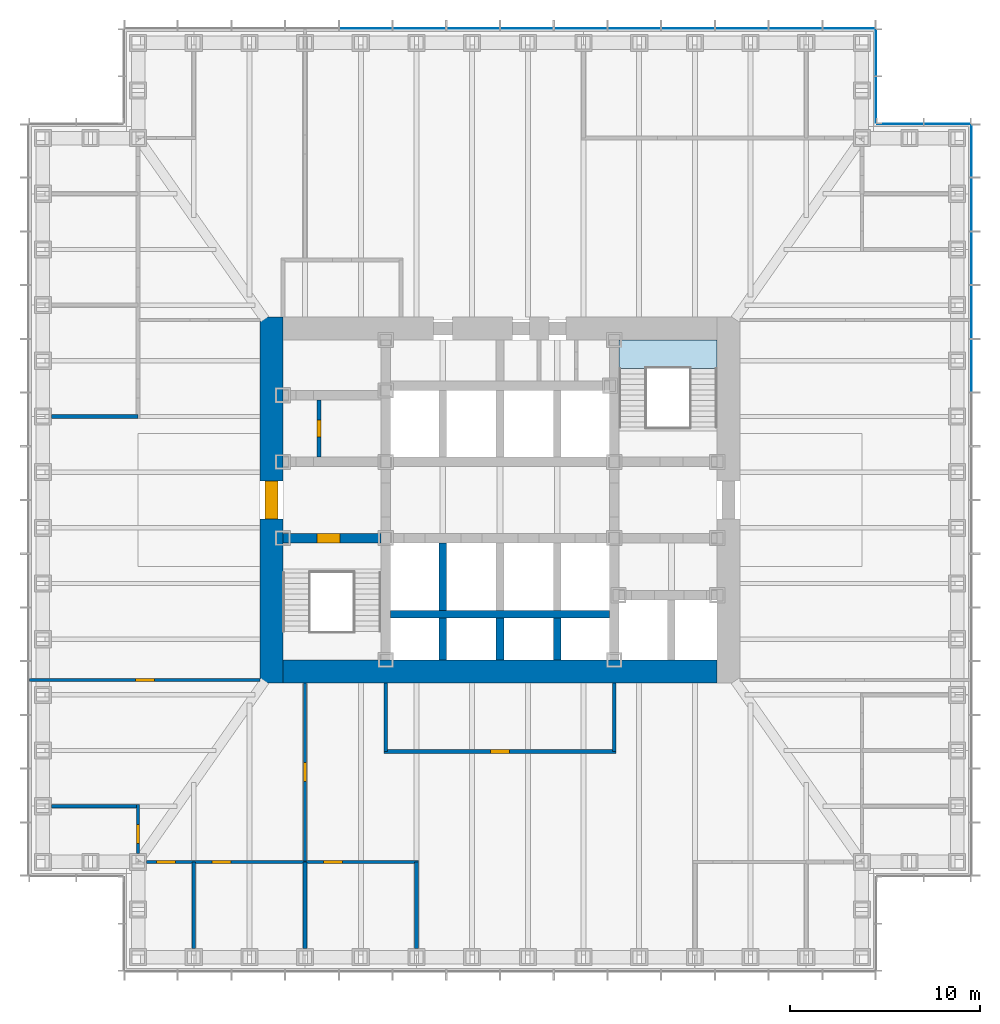
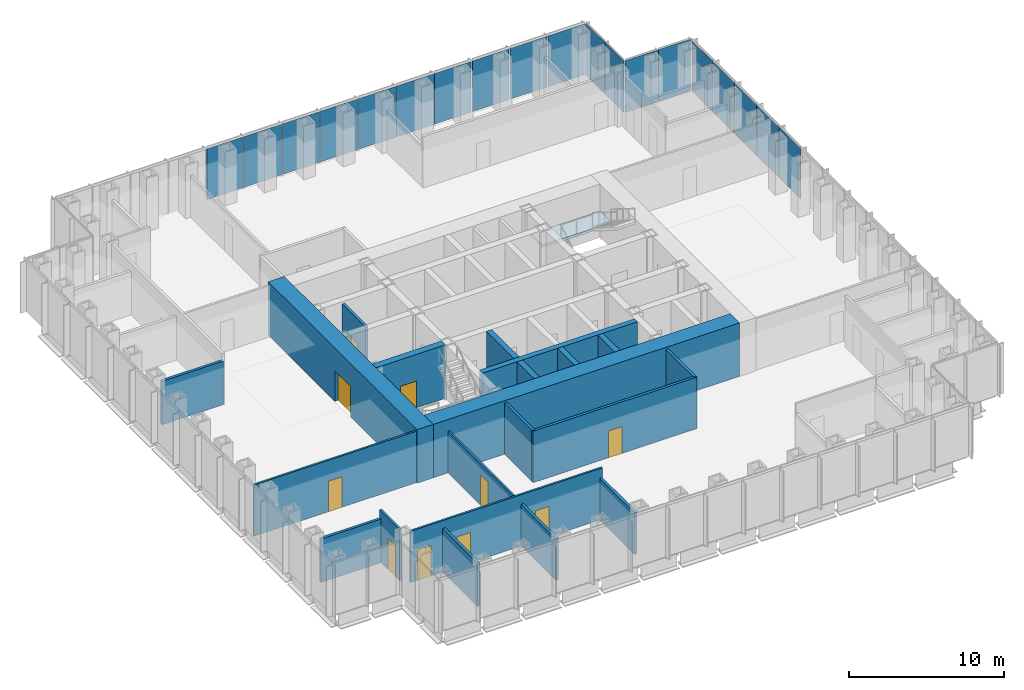
# One storey, part 8 of 17: 21 walls, 19 plates, 10 doors, 1 slab, 10 openings, 5 elements without a shape of their own.
"""IFC4 building model written with IfcOpenShell, lengths in metres."""

import ifcopenshell
import ifcopenshell.guid

model = None  # the IFC model being written
_history = None  # IfcOwnerHistory: only IFC2X3 demands one
_inside = {}  # id of a spatial element -> (the spatial element, [elements in it])
_under = {}  # id of a project, library or spatial element -> (it, [spatial elements below it])
_declared = {}  # id of a project -> (the project, [libraries it declares])
_typed = {}  # id of a type object -> (the type object, [elements of that type])
_made_of = {}  # id of a material, layer set ... -> (it, [elements and type objects made of it])


def new_model(schema):
    """Start an empty IFC model of exactly this schema.

    Asked for "IFC4X3", IfcOpenShell would pick the latest addendum, in which some entities
    have other attributes; the version numbers below select the first issue.
    IFC2X3 requires an IfcOwnerHistory on every rooted entity: one is made here for all.
    """
    global model, _history
    if schema == "IFC4X3":
        model = ifcopenshell.file(schema_version=(4, 3, 0, 0))
    else:
        model = ifcopenshell.file(schema=schema)
    _inside.clear()
    _under.clear()
    _declared.clear()
    _typed.clear()
    _made_of.clear()
    _history = None
    if model.schema == "IFC2X3":
        org = make("IfcOrganization", Name="unknown")
        user = make(
            "IfcPersonAndOrganization",
            ThePerson=make("IfcPerson", FamilyName="unknown"),
            TheOrganization=org,
        )
        app = make(
            "IfcApplication",
            ApplicationDeveloper=org,
            Version="unknown",
            ApplicationFullName="unknown",
            ApplicationIdentifier="unknown",
        )
        _history = make(
            "IfcOwnerHistory",
            OwningUser=user,
            OwningApplication=app,
            ChangeAction="ADDED",
            CreationDate=0,
        )
    return model


def make(cls, **values):
    """One entity of the class cls with the attributes given. An attribute that is None is left unset."""
    return model.create_entity(
        cls, **{name: value for name, value in values.items() if value is not None}
    )


def rooted(cls, **values):
    """An entity with a GlobalId (a new one), such as an element, a storey or a relation."""
    return make(cls, GlobalId=ifcopenshell.guid.new(), OwnerHistory=_history, **values)


def si_unit(unit_type, name, prefix=None):
    """IfcSIUnit, for example si_unit("LENGTHUNIT", "METRE", prefix="MILLI")."""
    return make("IfcSIUnit", UnitType=unit_type, Prefix=prefix, Name=name)


def assignment(units):
    """IfcUnitAssignment: the units of a project."""
    return None if units is None else make("IfcUnitAssignment", Units=units)


def point(xyz):
    """IfcCartesianPoint."""
    return None if xyz is None else make("IfcCartesianPoint", Coordinates=xyz)


def direction(xyz):
    """IfcDirection."""
    return None if xyz is None else make("IfcDirection", DirectionRatios=xyz)


def frame(location, z_axis=None, x_axis=None):
    """IfcAxis2Placement3D, a coordinate frame: its origin and axes. An axis left out is left unset."""
    return make(
        "IfcAxis2Placement3D",
        Location=point(location),
        Axis=direction(z_axis),
        RefDirection=direction(x_axis),
    )


def frame_2d(location, x_axis=None):
    """IfcAxis2Placement2D, a coordinate frame in the plane: its origin and x axis."""
    return make(
        "IfcAxis2Placement2D", Location=point(location), RefDirection=direction(x_axis)
    )


def origin():
    """The frame at (0, 0, 0) with its axes left unset."""
    return frame((0.0, 0.0, 0.0))


def origin_2d():
    """The frame at (0, 0) in the plane with its x axis left unset."""
    return frame_2d((0.0, 0.0))


def place(relative_to, where):
    """IfcLocalPlacement: puts the frame where relative to a parent placement (None: the world)."""
    return make(
        "IfcLocalPlacement", PlacementRelTo=relative_to, RelativePlacement=where
    )


def context(
    kind, dimensions, precision=None, world=None, true_north=None, identifier=None
):
    """IfcGeometricRepresentationContext, for example the 3D "Model" context."""
    return make(
        "IfcGeometricRepresentationContext",
        ContextIdentifier=identifier,
        ContextType=kind,
        CoordinateSpaceDimension=dimensions,
        Precision=precision,
        WorldCoordinateSystem=world,
        TrueNorth=true_north,
    )


def subcontext(parent, identifier, kind, view, scale=None):
    """IfcGeometricRepresentationSubContext, for example "Body" below "Model"."""
    return make(
        "IfcGeometricRepresentationSubContext",
        ContextIdentifier=identifier,
        ContextType=kind,
        ParentContext=parent,
        TargetScale=scale,
        TargetView=view,
    )


def project(units=None, contexts=None):
    """IfcProject with its units and contexts."""
    return rooted(
        "IfcProject",
        Name="project",
        RepresentationContexts=contexts,
        UnitsInContext=assignment(units),
    )


def spatial(cls, under=None, at=None, **own):
    """A site, building, storey or space (cls), placed at a placement, below another one or the project."""
    s = rooted(cls, ObjectPlacement=at, **own)
    if under is not None:
        _under.setdefault(under.id(), (under, []))[1].append(s)
    return s


def polyline(points):
    """IfcPolyline through the points."""
    return make("IfcPolyline", Points=[point(p) for p in points])


def profile(cls, at=None, kind="AREA", **sizes):
    """A parametric profile (cls). Its sizes go by their IFC names, for example OverallWidth=200.0."""
    return make(cls, ProfileType=kind, Position=at, **sizes)


def rectangle(**sizes):
    """IfcRectangleProfileDef."""
    return profile("IfcRectangleProfileDef", **sizes)


def outline(outer, holes=None, kind="AREA"):
    """IfcArbitraryClosedProfileDef: a profile drawn as a closed curve; with holes, ...WithVoids."""
    if holes is None:
        return make("IfcArbitraryClosedProfileDef", ProfileType=kind, OuterCurve=outer)
    return make(
        "IfcArbitraryProfileDefWithVoids",
        ProfileType=kind,
        OuterCurve=outer,
        InnerCurves=holes,
    )


def extrude(swept, where, along, depth):
    """IfcExtrudedAreaSolid: the profile swept, set in the frame where, extruded along a direction by depth."""
    return make(
        "IfcExtrudedAreaSolid",
        SweptArea=swept,
        Position=where,
        ExtrudedDirection=direction(along),
        Depth=depth,
    )


def shape(context_of_items, identifier, shape_type, items):
    """IfcShapeRepresentation: the items that make up one representation, for example the "Body"."""
    return make(
        "IfcShapeRepresentation",
        ContextOfItems=context_of_items,
        RepresentationIdentifier=identifier,
        RepresentationType=shape_type,
        Items=items,
    )


def material(Name=None, Category=None):
    """IfcMaterial."""
    return make("IfcMaterial", Name=Name, Category=Category)


def layer(
    of_material, thickness, ventilated=None, Name=None, Category=None, Priority=None
):
    """IfcMaterialLayer: one layer of a wall or slab, of a material (None: an air gap)."""
    return make(
        "IfcMaterialLayer",
        Material=of_material,
        LayerThickness=thickness,
        IsVentilated=ventilated,
        Name=Name,
        Category=Category,
        Priority=Priority,
    )


def layer_set(layers, Name=None):
    """IfcMaterialLayerSet."""
    return make("IfcMaterialLayerSet", MaterialLayers=layers, LayerSetName=Name)


def made_of(thing, what):
    """Note that an element or type object is made of a material, layer set ...; save() writes the relation."""
    if what is not None:
        _made_of.setdefault(what.id(), (what, []))[1].append(thing)
    return thing


def type_object(cls, material=None, **own):
    """A type object (cls), such as IfcWallType, which elements share."""
    return made_of(rooted(cls, **own), material)


def element(
    cls,
    number,
    at=None,
    inside=None,
    cuts=None,
    type_object=None,
    material=None,
    context=None,
    identifier="Body",
    shape_type=None,
    held_by="IfcProductDefinitionShape",
    body=None,
    shapes=None,
    **own,
):
    """One element of the class cls, such as IfcWall. Its Tag is "e" and its number.

    at: its placement. inside: the storey or other place that contains it. cuts: it is an
    opening in that element (IfcRelVoidsElement). A single representation is given by context,
    identifier, shape_type and body (its items); several are given by shapes. held_by: the class
    of the entity that holds the representations. save() writes the other relations.
    """
    e = rooted(cls, Tag="e%d" % number, ObjectPlacement=at, **own)
    if body is not None:
        shapes = [shape(context, identifier, shape_type, body)]
    if shapes is not None:
        e.Representation = make(held_by, Representations=shapes)
    if inside is not None:
        _inside.setdefault(inside.id(), (inside, []))[1].append(e)
    if cuts is not None:
        rooted(
            "IfcRelVoidsElement", RelatingBuildingElement=cuts, RelatedOpeningElement=e
        )
    if type_object is not None:
        _typed.setdefault(type_object.id(), (type_object, []))[1].append(e)
    return made_of(e, material)


def fill(opening, filler):
    """IfcRelFillsElement: the door or window that sits in an opening."""
    return rooted(
        "IfcRelFillsElement",
        RelatingOpeningElement=opening,
        RelatedBuildingElement=filler,
    )


def aggregate(whole, parts):
    """IfcRelAggregates: a whole, such as a stair, and the parts it consists of."""
    return rooted("IfcRelAggregates", RelatingObject=whole, RelatedObjects=parts)


def save(model, path):
    """Write the relations noted so far, then the file.

    IfcRelAggregates (storeys below a building ...), IfcRelContainedInSpatialStructure (elements
    in a storey), IfcRelDefinesByType, IfcRelAssociatesMaterial and IfcRelDeclares: one each for
    every whole, place, type object, material and project.
    """
    for whole, parts in _under.values():
        aggregate(whole, parts)
    for where, things in _inside.values():
        rooted(
            "IfcRelContainedInSpatialStructure",
            RelatedElements=things,
            RelatingStructure=where,
        )
    for kind, things in _typed.values():
        rooted("IfcRelDefinesByType", RelatedObjects=things, RelatingType=kind)
    for what, things in _made_of.values():
        rooted("IfcRelAssociatesMaterial", RelatedObjects=things, RelatingMaterial=what)
    for by, libraries in _declared.values():
        rooted("IfcRelDeclares", RelatingContext=by, RelatedDefinitions=libraries)
    model.write(path)


model = new_model("IFC4")

# Units and contexts
model_context = context("Model", 3, precision=1e-05, world=origin(), true_north=direction((0.0, 1.0)))
body_context = subcontext(model_context, "Body", "Model", "MODEL_VIEW")
ifc_project = project(units=[si_unit("LENGTHUNIT", "METRE"), si_unit("AREAUNIT", "SQUARE_METRE"), si_unit("VOLUMEUNIT", "CUBIC_METRE"), si_unit("PLANEANGLEUNIT", "RADIAN"), si_unit("MASSUNIT", "GRAM", prefix="KILO")], contexts=[model_context])

# Site, building, storey
site_placement = place(None, origin())
site = spatial("IfcSite", under=ifc_project, at=site_placement, CompositionType="ELEMENT")
building_placement = place(site_placement, origin())
building = spatial("IfcBuilding", under=site, at=building_placement, Name="Daluyong Arena Tower", CompositionType="ELEMENT")
storey_placement = place(building_placement, frame((0.0, 0.0, 85.300048828125)))
storey = spatial("IfcBuildingStorey", under=building, at=storey_placement, Name="L18", CompositionType="ELEMENT", Elevation=85.300048828125)

# Curtain wall, plates
ifc_material_1 = material(Name="Bronze anodised aluminium and glass", Category="aluminium")
curtain_wall_type_1 = type_object("IfcCurtainWallType", Name="Curtain wall CW1", PredefinedType="USERDEFINED", material=ifc_material_1)
curtain_wall_1_placement = place(storey_placement, origin())
curtain_wall_1 = element("IfcCurtainWall", 1, at=curtain_wall_1_placement, inside=storey, type_object=curtain_wall_type_1, Name="curtain wall L18 E", ObjectType="UNITISED CURTAIN WALL", PredefinedType="USERDEFINED")
ifc_material_2 = material(Name="Tinted double glazed unit", Category="glass")
ifc_layer_1 = layer(ifc_material_2, 0.031982421875)
ifc_layer_set_1 = layer_set([ifc_layer_1], Name="Tinted double glazed unit")
plate_type_1 = type_object("IfcPlateType", Name="CW1 panel 32", PredefinedType="CURTAIN_PANEL", material=ifc_layer_set_1)
plate_1_placement = place(storey_placement, frame((80.75, 87.053466796875, 0.0), z_axis=(0.0, 0.0, 1.0), x_axis=(0.0, 1.0, 0.0)))
plate_1 = element("IfcPlate", 2, at=plate_1_placement, type_object=plate_type_1, Name="curtain wall L18 E panel 10", PredefinedType="CURTAIN_PANEL", context=body_context, shape_type="SweptSolid", body=[
    extrude(rectangle(XDim=2.741455078125, YDim=0.031982421875, at=origin_2d()), origin(), (0.0, 0.0, 1.0), 4.0),
])
plate_2_placement = place(storey_placement, frame((80.75, 89.875, 0.0), z_axis=(0.0, 0.0, 1.0), x_axis=(0.0, 1.0, 0.0)))
plate_2 = element("IfcPlate", 3, at=plate_2_placement, type_object=plate_type_1, Name="curtain wall L18 E panel 11", PredefinedType="CURTAIN_PANEL", context=body_context, shape_type="SweptSolid", body=[
    extrude(rectangle(XDim=2.741455078125, YDim=0.031982421875, at=origin_2d()), origin(), (0.0, 0.0, 1.0), 4.0),
])
plate_3_placement = place(storey_placement, frame((80.75, 92.696533203125, 0.0), z_axis=(0.0, 0.0, 1.0), x_axis=(0.0, 1.0, 0.0)))
plate_3 = element("IfcPlate", 4, at=plate_3_placement, type_object=plate_type_1, Name="curtain wall L18 E panel 12", PredefinedType="CURTAIN_PANEL", context=body_context, shape_type="SweptSolid", body=[
    extrude(rectangle(XDim=2.741455078125, YDim=0.031982421875, at=origin_2d()), origin(), (0.0, 0.0, 1.0), 4.0),
])
plate_4_placement = place(storey_placement, frame((80.75, 95.517822265625, 0.0), z_axis=(0.0, 0.0, 1.0), x_axis=(0.0, 1.0, 0.0)))
plate_4 = element("IfcPlate", 5, at=plate_4_placement, type_object=plate_type_1, Name="curtain wall L18 E panel 13", PredefinedType="CURTAIN_PANEL", context=body_context, shape_type="SweptSolid", body=[
    extrude(rectangle(XDim=2.741455078125, YDim=0.031982421875, at=origin_2d()), origin(), (0.0, 0.0, 1.0), 4.0),
])
plate_5_placement = place(storey_placement, frame((80.75, 98.3193359375, 0.0), z_axis=(0.0, 0.0, 1.0), x_axis=(0.0, 1.0, 0.0)))
plate_5 = element("IfcPlate", 6, at=plate_5_placement, type_object=plate_type_1, Name="curtain wall L18 E panel 14", PredefinedType="CURTAIN_PANEL", context=body_context, shape_type="SweptSolid", body=[
    extrude(rectangle(XDim=2.701416015625, YDim=0.031982421875, at=origin_2d()), origin(), (0.0, 0.0, 1.0), 4.0),
])
aggregate(curtain_wall_1, [plate_1, plate_2, plate_3, plate_4, plate_5])

curtain_wall_2_placement = place(storey_placement, origin())
curtain_wall_2 = element("IfcCurtainWall", 7, at=curtain_wall_2_placement, inside=storey, type_object=curtain_wall_type_1, Name="curtain wall L18 N", ObjectType="UNITISED CURTAIN WALL", PredefinedType="USERDEFINED")
plate_6_placement = place(storey_placement, frame((74.3193359375, 104.75, 0.0), z_axis=(0.0, 0.0, 1.0), x_axis=(-1.0, 0.0, 0.0)))
plate_6 = element("IfcPlate", 8, at=plate_6_placement, type_object=plate_type_1, Name="curtain wall L18 N panel 1", PredefinedType="CURTAIN_PANEL", context=body_context, shape_type="SweptSolid", body=[
    extrude(rectangle(XDim=2.701416015625, YDim=0.031982421875, at=origin_2d()), origin(), (0.0, 0.0, 1.0), 4.0),
])
plate_7_placement = place(storey_placement, frame((71.517822265625, 104.75, 0.0), z_axis=(0.0, 0.0, 1.0), x_axis=(-1.0, 0.0, 0.0)))
plate_7 = element("IfcPlate", 9, at=plate_7_placement, type_object=plate_type_1, Name="curtain wall L18 N panel 2", PredefinedType="CURTAIN_PANEL", context=body_context, shape_type="SweptSolid", body=[
    extrude(rectangle(XDim=2.741455078125, YDim=0.031982421875, at=origin_2d()), origin(), (0.0, 0.0, 1.0), 4.0),
])
plate_8_placement = place(storey_placement, frame((68.696533203125, 104.75, 0.0), z_axis=(0.0, 0.0, 1.0), x_axis=(-1.0, 0.0, 0.0)))
plate_8 = element("IfcPlate", 10, at=plate_8_placement, type_object=plate_type_1, Name="curtain wall L18 N panel 3", PredefinedType="CURTAIN_PANEL", context=body_context, shape_type="SweptSolid", body=[
    extrude(rectangle(XDim=2.741455078125, YDim=0.031982421875, at=origin_2d()), origin(), (0.0, 0.0, 1.0), 4.0),
])
plate_9_placement = place(storey_placement, frame((65.875, 104.75, 0.0), z_axis=(0.0, 0.0, 1.0), x_axis=(-1.0, 0.0, 0.0)))
plate_9 = element("IfcPlate", 11, at=plate_9_placement, type_object=plate_type_1, Name="curtain wall L18 N panel 4", PredefinedType="CURTAIN_PANEL", context=body_context, shape_type="SweptSolid", body=[
    extrude(rectangle(XDim=2.741455078125, YDim=0.031982421875, at=origin_2d()), origin(), (0.0, 0.0, 1.0), 4.0),
])
plate_10_placement = place(storey_placement, frame((63.053466796875, 104.75, 0.0), z_axis=(0.0, 0.0, 1.0), x_axis=(-1.0, 0.0, 0.0)))
plate_10 = element("IfcPlate", 12, at=plate_10_placement, type_object=plate_type_1, Name="curtain wall L18 N panel 5", PredefinedType="CURTAIN_PANEL", context=body_context, shape_type="SweptSolid", body=[
    extrude(rectangle(XDim=2.741455078125, YDim=0.031982421875, at=origin_2d()), origin(), (0.0, 0.0, 1.0), 4.0),
])
plate_11_placement = place(storey_placement, frame((60.232177734375, 104.75, 0.0), z_axis=(0.0, 0.0, 1.0), x_axis=(-1.0, 0.0, 0.0)))
plate_11 = element("IfcPlate", 13, at=plate_11_placement, type_object=plate_type_1, Name="curtain wall L18 N panel 6", PredefinedType="CURTAIN_PANEL", context=body_context, shape_type="SweptSolid", body=[
    extrude(rectangle(XDim=2.741455078125, YDim=0.031982421875, at=origin_2d()), origin(), (0.0, 0.0, 1.0), 4.0),
])
plate_12_placement = place(storey_placement, frame((57.41064453125, 104.75, 0.0), z_axis=(0.0, 0.0, 1.0), x_axis=(-1.0, 0.0, 0.0)))
plate_12 = element("IfcPlate", 14, at=plate_12_placement, type_object=plate_type_1, Name="curtain wall L18 N panel 7", PredefinedType="CURTAIN_PANEL", context=body_context, shape_type="SweptSolid", body=[
    extrude(rectangle(XDim=2.741455078125, YDim=0.031982421875, at=origin_2d()), origin(), (0.0, 0.0, 1.0), 4.0),
])
plate_13_placement = place(storey_placement, frame((54.58935546875, 104.75, 0.0), z_axis=(0.0, 0.0, 1.0), x_axis=(-1.0, 0.0, 0.0)))
plate_13 = element("IfcPlate", 15, at=plate_13_placement, type_object=plate_type_1, Name="curtain wall L18 N panel 8", PredefinedType="CURTAIN_PANEL", context=body_context, shape_type="SweptSolid", body=[
    extrude(rectangle(XDim=2.741455078125, YDim=0.031982421875, at=origin_2d()), origin(), (0.0, 0.0, 1.0), 4.0),
])
plate_14_placement = place(storey_placement, frame((51.767822265625, 104.75, 0.0), z_axis=(0.0, 0.0, 1.0), x_axis=(-1.0, 0.0, 0.0)))
plate_14 = element("IfcPlate", 16, at=plate_14_placement, type_object=plate_type_1, Name="curtain wall L18 N panel 9", PredefinedType="CURTAIN_PANEL", context=body_context, shape_type="SweptSolid", body=[
    extrude(rectangle(XDim=2.741455078125, YDim=0.031982421875, at=origin_2d()), origin(), (0.0, 0.0, 1.0), 4.0),
])
plate_15_placement = place(storey_placement, frame((48.946533203125, 104.75, 0.0), z_axis=(0.0, 0.0, 1.0), x_axis=(-1.0, 0.0, 0.0)))
plate_15 = element("IfcPlate", 17, at=plate_15_placement, type_object=plate_type_1, Name="curtain wall L18 N panel 10", PredefinedType="CURTAIN_PANEL", context=body_context, shape_type="SweptSolid", body=[
    extrude(rectangle(XDim=2.741455078125, YDim=0.031982421875, at=origin_2d()), origin(), (0.0, 0.0, 1.0), 4.0),
])
aggregate(curtain_wall_2, [plate_6, plate_7, plate_8, plate_9, plate_10, plate_11, plate_12, plate_13, plate_14, plate_15])

ifc_material_3 = material(Name="Bronze anodised aluminium and glass", Category="aluminium")
curtain_wall_type_2 = type_object("IfcCurtainWallType", Name="Curtain wall CW7", PredefinedType="USERDEFINED", material=ifc_material_3)
curtain_wall_3_placement = place(storey_placement, origin())
curtain_wall_3 = element("IfcCurtainWall", 18, at=curtain_wall_3_placement, inside=storey, type_object=curtain_wall_type_2, Name="curtain wall L18 NE-N", ObjectType="UNITISED CURTAIN WALL", PredefinedType="USERDEFINED")
ifc_material_4 = material(Name="Tinted double glazed unit", Category="glass")
ifc_layer_2 = layer(ifc_material_4, 0.028076171875)
ifc_layer_set_2 = layer_set([ifc_layer_2], Name="Tinted double glazed unit")
plate_type_2 = type_object("IfcPlateType", Name="CW7 panel 28", PredefinedType="CURTAIN_PANEL", material=ifc_layer_set_2)
plate_16_placement = place(storey_placement, frame((79.485107421875, 99.75, 0.0), z_axis=(0.0, 0.0, 1.0), x_axis=(-1.0, 0.0, 0.0)))
plate_16 = element("IfcPlate", 19, at=plate_16_placement, type_object=plate_type_2, Name="curtain wall L18 NE-N panel 1", PredefinedType="CURTAIN_PANEL", context=body_context, shape_type="SweptSolid", body=[
    extrude(rectangle(XDim=2.409912109375, YDim=0.028076171875, at=origin_2d()), origin(), (0.0, 0.0, 1.0), 4.080078125),
])
plate_17_placement = place(storey_placement, frame((77.014892578125, 99.75, 0.0), z_axis=(0.0, 0.0, 1.0), x_axis=(-1.0, 0.0, 0.0)))
plate_17 = element("IfcPlate", 20, at=plate_17_placement, type_object=plate_type_2, Name="curtain wall L18 NE-N panel 2", PredefinedType="CURTAIN_PANEL", context=body_context, shape_type="SweptSolid", body=[
    extrude(rectangle(XDim=2.409912109375, YDim=0.028076171875, at=origin_2d()), origin(), (0.0, 0.0, 1.0), 4.080078125),
])
aggregate(curtain_wall_3, [plate_16, plate_17])

curtain_wall_4_placement = place(storey_placement, origin())
curtain_wall_4 = element("IfcCurtainWall", 21, at=curtain_wall_4_placement, inside=storey, type_object=curtain_wall_type_2, Name="curtain wall L18 NE-E", ObjectType="UNITISED CURTAIN WALL", PredefinedType="USERDEFINED")
plate_18_placement = place(storey_placement, frame((75.75, 101.014892578125, 0.0), z_axis=(0.0, 0.0, 1.0), x_axis=(0.0, 1.0, 0.0)))
plate_18 = element("IfcPlate", 22, at=plate_18_placement, type_object=plate_type_2, Name="curtain wall L18 NE-E panel 1", PredefinedType="CURTAIN_PANEL", context=body_context, shape_type="SweptSolid", body=[
    extrude(rectangle(XDim=2.409912109375, YDim=0.028076171875, at=origin_2d()), origin(), (0.0, 0.0, 1.0), 4.080078125),
])
plate_19_placement = place(storey_placement, frame((75.75, 103.485107421875, 0.0), z_axis=(0.0, 0.0, 1.0), x_axis=(0.0, 1.0, 0.0)))
plate_19 = element("IfcPlate", 23, at=plate_19_placement, type_object=plate_type_2, Name="curtain wall L18 NE-E panel 2", PredefinedType="CURTAIN_PANEL", context=body_context, shape_type="SweptSolid", body=[
    extrude(rectangle(XDim=2.409912109375, YDim=0.028076171875, at=origin_2d()), origin(), (0.0, 0.0, 1.0), 4.080078125),
])
aggregate(curtain_wall_4, [plate_18, plate_19])

# Stair, slab
ifc_material_5 = material(Name="Concrete fc' 35 MPa", Category="concrete")
stair_type = type_object("IfcStairType", Name="Core exit stair", PredefinedType="HALF_TURN_STAIR", material=ifc_material_5)
stair_placement = place(storey_placement, origin())
stair = element("IfcStair", 24, at=stair_placement, inside=storey, type_object=stair_type, Name="exit stair B L18", PredefinedType="HALF_TURN_STAIR")
ifc_material_6 = material(Name="Concrete fc' 35 MPa", Category="concrete")
ifc_layer_3 = layer(ifc_material_6, 0.199951171875)
ifc_layer_set_3 = layer_set([ifc_layer_3], Name="Concrete fc' 35 MPa")
slab_type = type_object("IfcSlabType", Name="Stair landing 200", PredefinedType="LANDING", material=ifc_layer_set_3)
slab_placement = place(storey_placement, frame((0.0, 0.0, 1.89990234375)))
slab = element("IfcSlab", 25, at=slab_placement, type_object=slab_type, Name="STB landing 1", PredefinedType="LANDING", context=body_context, shape_type="SweptSolid", body=[
    extrude(outline(polyline([(62.25, 86.905029296875), (67.39990234375, 86.905029296875), (67.39990234375, 88.39990234375), (62.25, 88.39990234375), (62.25, 86.905029296875)])), origin(), (0.0, 0.0, 1.0), 0.199951171875),
])
aggregate(stair, [slab])

# Wall, opening, door
ifc_material_7 = material(Name="Concrete fc' 45 MPa", Category="concrete")
ifc_layer_4 = layer(ifc_material_7, 0.5)
ifc_layer_set_4 = layer_set([ifc_layer_4], Name="Concrete fc' 45 MPa")
wall_type_1 = type_object("IfcWallType", Name="Core inner wall 500", PredefinedType="SHEAR", material=ifc_layer_set_4)
wall_1_placement = place(storey_placement, frame((44.60009765625, 78.0, 0.0), z_axis=(0.0, 0.0, 1.0), x_axis=(1.0, 0.0, 0.0)))
wall_1 = element("IfcWall", 26, at=wall_1_placement, inside=storey, type_object=wall_type_1, Name="core inner wall at L18", PredefinedType="SHEAR", context=body_context, shape_type="SweptSolid", body=[
    extrude(rectangle(XDim=5.14990234375, YDim=0.5, at=frame_2d((2.574951171875, 0.0))), origin(), (0.0, 0.0, 1.0), 4.199951171875),
])
opening_1_placement = place(wall_1_placement, frame((1.800048828125, 0.0, 0.0)))
opening_1 = element("IfcOpeningElement", 27, at=opening_1_placement, cuts=wall_1, Name="Opening 18008", PredefinedType="OPENING", context=body_context, shape_type="SweptSolid", body=[
    extrude(rectangle(XDim=1.199951171875, YDim=2.10009765625, at=frame_2d((0.60009765625, 1.050048828125))), frame((0.0, 0.260009765625, 0.0), z_axis=(0.0, -1.0, 0.0), x_axis=(1.0, 0.0, 0.0)), (0.0, 0.0, 1.0), 0.52001953125),
])
ifc_material_8 = material(Name="Steel door, fire rated", Category="steel")
door_type_1 = type_object("IfcDoorType", Name="Stair door 1200", OperationType="SINGLE_SWING_LEFT", PredefinedType="DOOR", material=ifc_material_8)
door_1_placement = place(opening_1_placement, origin())
door_1 = element("IfcDoor", 28, at=door_1_placement, inside=storey, type_object=door_type_1, Name="stair A door 18008", OperationType="SINGLE_SWING_LEFT", OverallHeight=2.10009765625, OverallWidth=1.199951171875, PredefinedType="DOOR", context=body_context, shape_type="SweptSolid", body=[
    extrude(rectangle(XDim=1.199951171875, YDim=2.10009765625, at=frame_2d((0.60009765625, 1.050048828125))), frame((0.0, 0.249755859375, 0.0), z_axis=(0.0, -1.0, 0.0), x_axis=(1.0, 0.0, 0.0)), (0.0, 0.0, 1.0), 0.49951171875),
])
fill(opening_1, door_1)

ifc_material_9 = material(Name="Concrete fc' 60 MPa", Category="concrete")
ifc_layer_5 = layer(ifc_material_9, 1.199951171875)
ifc_layer_set_5 = layer_set([ifc_layer_5], Name="Concrete fc' 60 MPa")
wall_type_2 = type_object("IfcWallType", Name="Core wall 1200", PredefinedType="SHEAR", material=ifc_layer_set_5)
wall_2_placement = place(storey_placement, frame((44.0, 70.39990234375, 0.0), z_axis=(0.0, 0.0, 1.0), x_axis=(0.0, 1.0, 0.0)))
wall_2 = element("IfcWall", 29, at=wall_2_placement, inside=storey, type_object=wall_type_2, Name="core wall at L18", PredefinedType="SHEAR", context=body_context, shape_type="SweptSolid", body=[
    extrude(rectangle(XDim=19.2001953125, YDim=1.199951171875, at=frame_2d((9.60009765625, 0.0))), origin(), (0.0, 0.0, 1.0), 4.199951171875),
])
opening_2_placement = place(wall_2_placement, frame((8.60009765625, 0.0, 0.0)))
opening_2 = element("IfcOpeningElement", 30, at=opening_2_placement, cuts=wall_2, Name="Opening 18010", PredefinedType="OPENING", context=body_context, shape_type="SweptSolid", body=[
    extrude(rectangle(XDim=2.0, YDim=2.39990234375, at=frame_2d((1.0, 1.199951171875))), frame((0.0, 0.60986328125, 0.0), z_axis=(0.0, -1.0, 0.0), x_axis=(1.0, 0.0, 0.0)), (0.0, 0.0, 1.0), 1.219970703125),
])
ifc_material_10 = material(Name="Steel door, fire rated", Category="steel")
door_type_2 = type_object("IfcDoorType", Name="Core lobby double door 2000", OperationType="DOUBLE_DOOR_SINGLE_SWING", PredefinedType="DOOR", material=ifc_material_10)
door_2_placement = place(opening_2_placement, origin())
door_2 = element("IfcDoor", 31, at=door_2_placement, inside=storey, type_object=door_type_2, Name="core lobby door west 18010", OperationType="DOUBLE_DOOR_SINGLE_SWING", OverallHeight=2.39990234375, OverallWidth=2.0, PredefinedType="DOOR", context=body_context, shape_type="SweptSolid", body=[
    extrude(rectangle(XDim=2.0, YDim=2.39990234375, at=frame_2d((1.0, 1.199951171875))), frame((0.0, 0.35009765625, 0.0), z_axis=(0.0, -1.0, 0.0), x_axis=(1.0, 0.0, 0.0)), (0.0, 0.0, 1.0), 0.699951171875),
])
fill(opening_2, door_2)

# Wall
wall_3_placement = place(storey_placement, frame((44.60009765625, 71.0, 0.0), z_axis=(0.0, 0.0, 1.0), x_axis=(1.0, 0.0, 0.0)))
element("IfcWall", 32, at=wall_3_placement, inside=storey, type_object=wall_type_2, Name="core wall at L18", PredefinedType="SHEAR", context=body_context, shape_type="SweptSolid", body=[
    extrude(rectangle(XDim=22.7998046875, YDim=1.199951171875, at=frame_2d((11.39990234375, 0.0))), origin(), (0.0, 0.0, 1.0), 4.199951171875),
])

# Wall, opening, door
ifc_material_11 = material(Name="Concrete block partition, fire rated", Category="concrete")
ifc_layer_6 = layer(ifc_material_11, 0.199951171875)
ifc_layer_set_6 = layer_set([ifc_layer_6], Name="Concrete block partition, fire rated")
wall_type_3 = type_object("IfcWallType", Name="Fire-rated partition 200", PredefinedType="PARTITIONING", material=ifc_layer_set_6)
wall_4_placement = place(storey_placement, frame((46.5, 82.25, 0.0), z_axis=(0.0, 0.0, 1.0), x_axis=(0.0, 1.0, 0.0)))
wall_4 = element("IfcWall", 33, at=wall_4_placement, inside=storey, type_object=wall_type_3, Name="toilet lobby partition at L18", PredefinedType="PARTITIONING", context=body_context, shape_type="SweptSolid", body=[
    extrude(rectangle(XDim=3.0, YDim=0.199951171875, at=frame_2d((1.5, 0.0))), origin(), (0.0, 0.0, 1.0), 4.0400390625),
])
opening_3_placement = place(wall_4_placement, frame((1.050048828125, 0.0, 0.0)))
opening_3 = element("IfcOpeningElement", 34, at=opening_3_placement, cuts=wall_4, Name="Opening 18002", PredefinedType="OPENING", context=body_context, shape_type="SweptSolid", body=[
    extrude(rectangle(XDim=0.89990234375, YDim=2.10009765625, at=frame_2d((0.449951171875, 1.050048828125))), frame((0.0, 0.10986328125, 0.0), z_axis=(0.0, -1.0, 0.0), x_axis=(1.0, 0.0, 0.0)), (0.0, 0.0, 1.0), 0.219970703125),
])
ifc_material_12 = material(Name="Timber door", Category="wood")
door_type_3 = type_object("IfcDoorType", Name="Toilet door 900", OperationType="SINGLE_SWING_RIGHT", PredefinedType="DOOR", material=ifc_material_12)
door_3_placement = place(opening_3_placement, origin())
door_3 = element("IfcDoor", 35, at=door_3_placement, inside=storey, type_object=door_type_3, Name="male toilet door 18002", OperationType="SINGLE_SWING_RIGHT", OverallHeight=2.10009765625, OverallWidth=0.89990234375, PredefinedType="DOOR", context=body_context, shape_type="SweptSolid", body=[
    extrude(rectangle(XDim=0.89990234375, YDim=2.10009765625, at=frame_2d((0.449951171875, 1.050048828125))), frame((0.0, 0.099609375, 0.0), z_axis=(0.0, -1.0, 0.0), x_axis=(1.0, 0.0, 0.0)), (0.0, 0.0, 1.0), 0.199462890625),
])
fill(opening_3, door_3)

# Wall, openings, doors
ifc_material_13 = material(Name="Glazed aluminium partition", Category="aluminium")
ifc_layer_7 = layer(ifc_material_13, 0.14990234375)
ifc_layer_set_7 = layer_set([ifc_layer_7], Name="Glazed aluminium partition")
wall_type_4 = type_object("IfcWallType", Name="Glazed partition 150", PredefinedType="PARTITIONING", material=ifc_layer_set_7)
wall_5_placement = place(storey_placement, frame((37.449951171875, 61.0, 0.0), z_axis=(0.0, 0.0, 1.0), x_axis=(1.0, 0.0, 0.0)))
wall_5 = element("IfcWall", 36, at=wall_5_placement, inside=storey, type_object=wall_type_4, Name="glazed partition at L18", PredefinedType="PARTITIONING", context=body_context, shape_type="SweptSolid", body=[
    extrude(rectangle(XDim=14.265380859375, YDim=0.14990234375, at=frame_2d((7.1328125, 0.0))), origin(), (0.0, 0.0, 1.0), 4.0400390625),
])
opening_4_placement = place(wall_5_placement, frame((0.511474609375, 0.0, 0.0)))
opening_4 = element("IfcOpeningElement", 37, at=opening_4_placement, cuts=wall_5, Name="Opening 18021", PredefinedType="OPENING", context=body_context, shape_type="SweptSolid", body=[
    extrude(rectangle(XDim=1.0, YDim=2.39990234375, at=frame_2d((0.5, 1.199951171875))), frame((0.0, 0.0849609375, 0.0), z_axis=(0.0, -1.0, 0.0), x_axis=(1.0, 0.0, 0.0)), (0.0, 0.0, 1.0), 0.169921875),
])
opening_5_placement = place(wall_5_placement, frame((3.4345703125, 0.0, 0.0)))
opening_5 = element("IfcOpeningElement", 38, at=opening_5_placement, cuts=wall_5, Name="Opening 18022", PredefinedType="OPENING", context=body_context, shape_type="SweptSolid", body=[
    extrude(rectangle(XDim=1.0, YDim=2.39990234375, at=frame_2d((0.5, 1.199951171875))), frame((0.0, 0.0849609375, 0.0), z_axis=(0.0, -1.0, 0.0), x_axis=(1.0, 0.0, 0.0)), (0.0, 0.0, 1.0), 0.169921875),
])
opening_6_placement = place(wall_5_placement, frame((9.28076171875, 0.0, 0.0)))
opening_6 = element("IfcOpeningElement", 39, at=opening_6_placement, cuts=wall_5, Name="Opening 18023", PredefinedType="OPENING", context=body_context, shape_type="SweptSolid", body=[
    extrude(rectangle(XDim=1.0, YDim=2.39990234375, at=frame_2d((0.5, 1.199951171875))), frame((0.0, 0.0849609375, 0.0), z_axis=(0.0, -1.0, 0.0), x_axis=(1.0, 0.0, 0.0)), (0.0, 0.0, 1.0), 0.169921875),
])
ifc_material_14 = material(Name="Glazed aluminium door", Category="aluminium")
door_type_4 = type_object("IfcDoorType", Name="Meeting room glazed door 1000", OperationType="SINGLE_SWING_RIGHT", PredefinedType="DOOR", material=ifc_material_14)
door_4_placement = place(opening_4_placement, origin())
door_4 = element("IfcDoor", 40, at=door_4_placement, inside=storey, type_object=door_type_4, Name="meeting room door 18021", OperationType="SINGLE_SWING_RIGHT", OverallHeight=2.39990234375, OverallWidth=1.0, PredefinedType="DOOR", context=body_context, shape_type="SweptSolid", body=[
    extrude(rectangle(XDim=1.0, YDim=2.39990234375, at=frame_2d((0.5, 1.199951171875))), frame((0.0, 0.07470703125, 0.0), z_axis=(0.0, -1.0, 0.0), x_axis=(1.0, 0.0, 0.0)), (0.0, 0.0, 1.0), 0.1494140625),
])
fill(opening_4, door_4)
door_5_placement = place(opening_5_placement, origin())
door_5 = element("IfcDoor", 41, at=door_5_placement, inside=storey, type_object=door_type_4, Name="meeting room door 18022", OperationType="SINGLE_SWING_RIGHT", OverallHeight=2.39990234375, OverallWidth=1.0, PredefinedType="DOOR", context=body_context, shape_type="SweptSolid", body=[
    extrude(rectangle(XDim=1.0, YDim=2.39990234375, at=frame_2d((0.5, 1.199951171875))), frame((0.0, 0.07470703125, 0.0), z_axis=(0.0, -1.0, 0.0), x_axis=(1.0, 0.0, 0.0)), (0.0, 0.0, 1.0), 0.1494140625),
])
fill(opening_5, door_5)
door_6_placement = place(opening_6_placement, origin())
door_6 = element("IfcDoor", 42, at=door_6_placement, inside=storey, type_object=door_type_4, Name="meeting room door 18023", OperationType="SINGLE_SWING_RIGHT", OverallHeight=2.39990234375, OverallWidth=1.0, PredefinedType="DOOR", context=body_context, shape_type="SweptSolid", body=[
    extrude(rectangle(XDim=1.0, YDim=2.39990234375, at=frame_2d((0.5, 1.199951171875))), frame((0.0, 0.07470703125, 0.0), z_axis=(0.0, -1.0, 0.0), x_axis=(1.0, 0.0, 0.0)), (0.0, 0.0, 1.0), 0.1494140625),
])
fill(opening_6, door_6)

# Wall, opening, door
wall_6_placement = place(storey_placement, frame((31.31005859375, 70.550048828125, 0.0), z_axis=(0.0, 0.0, 1.0), x_axis=(1.0, 0.0, 0.0)))
wall_6 = element("IfcWall", 43, at=wall_6_placement, inside=storey, type_object=wall_type_4, Name="glazed partition at L18", PredefinedType="PARTITIONING", context=body_context, shape_type="SweptSolid", body=[
    extrude(rectangle(XDim=12.08984375, YDim=0.14990234375, at=frame_2d((6.044921875, 0.0))), origin(), (0.0, 0.0, 1.0), 4.0400390625),
])
opening_7_placement = place(wall_6_placement, frame((5.544921875, 0.0, 0.0)))
opening_7 = element("IfcOpeningElement", 44, at=opening_7_placement, cuts=wall_6, Name="Opening 18040", PredefinedType="OPENING", context=body_context, shape_type="SweptSolid", body=[
    extrude(rectangle(XDim=1.0, YDim=2.39990234375, at=frame_2d((0.5, 1.199951171875))), frame((0.0, 0.0849609375, 0.0), z_axis=(0.0, -1.0, 0.0), x_axis=(1.0, 0.0, 0.0)), (0.0, 0.0, 1.0), 0.169921875),
])
door_7_placement = place(opening_7_placement, origin())
door_7 = element("IfcDoor", 45, at=door_7_placement, inside=storey, type_object=door_type_4, Name="team area screen door 18040", OperationType="SINGLE_SWING_RIGHT", OverallHeight=2.39990234375, OverallWidth=1.0, PredefinedType="DOOR", context=body_context, shape_type="SweptSolid", body=[
    extrude(rectangle(XDim=1.0, YDim=2.39990234375, at=frame_2d((0.5, 1.199951171875))), frame((0.0, 0.07470703125, 0.0), z_axis=(0.0, -1.0, 0.0), x_axis=(1.0, 0.0, 0.0)), (0.0, 0.0, 1.0), 0.1494140625),
])
fill(opening_7, door_7)

wall_7_placement = place(storey_placement, frame((37.0, 61.449951171875, 0.0), z_axis=(0.0, 0.0, 1.0), x_axis=(0.0, 1.0, 0.0)))
wall_7 = element("IfcWall", 46, at=wall_7_placement, inside=storey, type_object=wall_type_4, Name="glazed partition at L18", PredefinedType="PARTITIONING", context=body_context, shape_type="SweptSolid", body=[
    extrude(rectangle(XDim=2.5732421875, YDim=0.14990234375, at=frame_2d((1.28662109375, 0.0))), origin(), (0.0, 0.0, 1.0), 4.0400390625),
])
opening_8_placement = place(wall_7_placement, frame((0.511474609375, 0.0, 0.0)))
opening_8 = element("IfcOpeningElement", 47, at=opening_8_placement, cuts=wall_7, Name="Opening 18034", PredefinedType="OPENING", context=body_context, shape_type="SweptSolid", body=[
    extrude(rectangle(XDim=1.0, YDim=2.39990234375, at=frame_2d((0.5, 1.199951171875))), frame((0.0, 0.0849609375, 0.0), z_axis=(0.0, -1.0, 0.0), x_axis=(1.0, 0.0, 0.0)), (0.0, 0.0, 1.0), 0.169921875),
])
door_8_placement = place(opening_8_placement, origin())
door_8 = element("IfcDoor", 48, at=door_8_placement, inside=storey, type_object=door_type_4, Name="focus room door 18034", OperationType="SINGLE_SWING_RIGHT", OverallHeight=2.39990234375, OverallWidth=1.0, PredefinedType="DOOR", context=body_context, shape_type="SweptSolid", body=[
    extrude(rectangle(XDim=1.0, YDim=2.39990234375, at=frame_2d((0.5, 1.199951171875))), frame((0.0, 0.07470703125, 0.0), z_axis=(0.0, -1.0, 0.0), x_axis=(1.0, 0.0, 0.0)), (0.0, 0.0, 1.0), 0.1494140625),
])
fill(opening_8, door_8)

wall_8_placement = place(storey_placement, frame((45.769287109375, 61.050048828125, 0.0), z_axis=(0.0, 0.0, 1.0), x_axis=(0.0, 1.0, 0.0)))
wall_8 = element("IfcWall", 49, at=wall_8_placement, inside=storey, type_object=wall_type_4, Name="glazed partition at L18", PredefinedType="PARTITIONING", context=body_context, shape_type="SweptSolid", body=[
    extrude(rectangle(XDim=9.349853515625, YDim=0.14990234375, at=frame_2d((4.6748046875, 0.0))), origin(), (0.0, 0.0, 1.0), 3.27783203125),
])
opening_9_placement = place(wall_8_placement, frame((4.175048828125, 0.0, 0.0)))
opening_9 = element("IfcOpeningElement", 50, at=opening_9_placement, cuts=wall_8, Name="Opening 18044", PredefinedType="OPENING", context=body_context, shape_type="SweptSolid", body=[
    extrude(rectangle(XDim=1.0, YDim=2.39990234375, at=frame_2d((0.5, 1.199951171875))), frame((0.0, 0.0849609375, 0.0), z_axis=(0.0, -1.0, 0.0), x_axis=(1.0, 0.0, 0.0)), (0.0, 0.0, 1.0), 0.169921875),
])
door_9_placement = place(opening_9_placement, origin())
door_9 = element("IfcDoor", 51, at=door_9_placement, inside=storey, type_object=door_type_4, Name="team area screen door 18044", OperationType="SINGLE_SWING_RIGHT", OverallHeight=2.39990234375, OverallWidth=1.0, PredefinedType="DOOR", context=body_context, shape_type="SweptSolid", body=[
    extrude(rectangle(XDim=1.0, YDim=2.39990234375, at=frame_2d((0.5, 1.199951171875))), frame((0.0, 0.07470703125, 0.0), z_axis=(0.0, -1.0, 0.0), x_axis=(1.0, 0.0, 0.0)), (0.0, 0.0, 1.0), 0.1494140625),
])
fill(opening_9, door_9)

# Walls
ifc_material_15 = material(Name="Concrete fc' 45 MPa", Category="concrete")
ifc_layer_8 = layer(ifc_material_15, 0.39990234375)
ifc_layer_set_8 = layer_set([ifc_layer_8], Name="Concrete fc' 45 MPa")
wall_type_5 = type_object("IfcWallType", Name="Lift shaft wall 400", PredefinedType="SHEAR", material=ifc_layer_set_8)
wall_9_placement = place(storey_placement, frame((50.25, 74.0, 0.0), z_axis=(0.0, 0.0, 1.0), x_axis=(1.0, 0.0, 0.0)))
element("IfcWall", 52, at=wall_9_placement, inside=storey, type_object=wall_type_5, Name="lift shaft wall at L18", PredefinedType="SHEAR", context=body_context, shape_type="SweptSolid", body=[
    extrude(rectangle(XDim=11.5, YDim=0.39990234375, at=frame_2d((5.75, 0.0))), origin(), (0.0, 0.0, 1.0), 4.199951171875),
])
wall_10_placement = place(storey_placement, frame((53.0, 71.60009765625, 0.0), z_axis=(0.0, 0.0, 1.0), x_axis=(0.0, 1.0, 0.0)))
element("IfcWall", 53, at=wall_10_placement, inside=storey, type_object=wall_type_5, Name="lift shaft wall at L18", PredefinedType="SHEAR", context=body_context, shape_type="SweptSolid", body=[
    extrude(rectangle(XDim=2.199951171875, YDim=0.39990234375, at=frame_2d((1.10009765625, 0.0))), origin(), (0.0, 0.0, 1.0), 4.199951171875),
])
wall_11_placement = place(storey_placement, frame((53.0, 74.199951171875, 0.0), z_axis=(0.0, 0.0, 1.0), x_axis=(0.0, 1.0, 0.0)))
element("IfcWall", 54, at=wall_11_placement, inside=storey, type_object=wall_type_5, Name="lift shaft wall at L18", PredefinedType="SHEAR", context=body_context, shape_type="SweptSolid", body=[
    extrude(rectangle(XDim=3.550048828125, YDim=0.39990234375, at=frame_2d((1.77490234375, 0.0))), origin(), (0.0, 0.0, 1.0), 4.199951171875),
])
for number, where, z_axis, x_axis, name in (
    (55, (56.0, 71.60009765625, 0.0), (0.0, 0.0, 1.0), (0.0, 1.0, 0.0), "lift shaft wall at L18"),
    (56, (59.0, 71.60009765625, 0.0), (0.0, 0.0, 1.0), (0.0, 1.0, 0.0), "lift shaft wall at L18"),
):
    element("IfcWall", number, at=place(storey_placement, frame(where, z_axis=z_axis, x_axis=x_axis)), inside=storey, type_object=wall_type_5, Name=name, PredefinedType="SHEAR", context=body_context, shape_type="SweptSolid", body=[
        extrude(rectangle(XDim=2.199951171875, YDim=0.39990234375, at=frame_2d((1.10009765625, 0.0))), origin(), (0.0, 0.0, 1.0), 4.199951171875),
    ])
ifc_material_16 = material(Name="Concrete block partition", Category="concrete")
ifc_layer_9 = layer(ifc_material_16, 0.199951171875)
ifc_layer_set_9 = layer_set([ifc_layer_9], Name="Concrete block partition")
wall_type_6 = type_object("IfcWallType", Name="Partition 200", PredefinedType="PARTITIONING", material=ifc_layer_set_9)
wall_12_placement = place(storey_placement, frame((39.923095703125, 56.449951171875, 0.0), z_axis=(0.0, 0.0, 1.0), x_axis=(0.0, 1.0, 0.0)))
element("IfcWall", 57, at=wall_12_placement, inside=storey, type_object=wall_type_6, Name="partition at L18", PredefinedType="PARTITIONING", context=body_context, shape_type="SweptSolid", body=[
    extrude(rectangle(XDim=4.550048828125, YDim=0.199951171875, at=frame_2d((2.27490234375, 0.0))), origin(), (0.0, 0.0, 1.0), 3.427734375),
])
for number, where, z_axis, x_axis, name in (
    (58, (45.769287109375, 56.449951171875, 0.0), (0.0, 0.0, 1.0), (0.0, 1.0, 0.0), "partition at L18"),
    (59, (51.615478515625, 56.449951171875, 0.0), (0.0, 0.0, 1.0), (0.0, 1.0, 0.0), "partition at L18"),
):
    element("IfcWall", number, at=place(storey_placement, frame(where, z_axis=z_axis, x_axis=x_axis)), inside=storey, type_object=wall_type_6, Name=name, PredefinedType="PARTITIONING", context=body_context, shape_type="SweptSolid", body=[
        extrude(rectangle(XDim=4.550048828125, YDim=0.199951171875, at=frame_2d((2.27490234375, 0.0))), origin(), (0.0, 0.0, 1.0), 3.27783203125),
    ])
for number, where, z_axis, x_axis, name in (
    (60, (32.449951171875, 63.923095703125, 0.0), (0.0, 0.0, 1.0), (1.0, 0.0, 0.0), "partition at L18"),
    (61, (32.449951171875, 84.384521484375, 0.0), (0.0, 0.0, 1.0), (1.0, 0.0, 0.0), "partition at L18"),
):
    element("IfcWall", number, at=place(storey_placement, frame(where, z_axis=z_axis, x_axis=x_axis)), inside=storey, type_object=wall_type_6, Name=name, PredefinedType="PARTITIONING", context=body_context, shape_type="SweptSolid", body=[
        extrude(rectangle(XDim=4.550048828125, YDim=0.199951171875, at=frame_2d((2.27490234375, 0.0))), origin(), (0.0, 0.0, 1.0), 3.427734375),
    ])
for number, where, z_axis, x_axis, name in (
    (62, (50.0, 66.800048828125, 0.0), (0.0, 0.0, 1.0), (0.0, 1.0, 0.0), "partition at L18"),
    (63, (62.0, 66.800048828125, 0.0), (0.0, 0.0, 1.0), (0.0, 1.0, 0.0), "partition at L18"),
):
    element("IfcWall", number, at=place(storey_placement, frame(where, z_axis=z_axis, x_axis=x_axis)), inside=storey, type_object=wall_type_6, Name=name, PredefinedType="PARTITIONING", context=body_context, shape_type="SweptSolid", body=[
        extrude(rectangle(XDim=3.599853515625, YDim=0.199951171875, at=frame_2d((1.7998046875, 0.0))), origin(), (0.0, 0.0, 1.0), 4.0400390625),
    ])

# Wall, opening, door
wall_13_placement = place(storey_placement, frame((49.89990234375, 66.800048828125, 0.0), z_axis=(0.0, 0.0, 1.0), x_axis=(1.0, 0.0, 0.0)))
wall_13 = element("IfcWall", 64, at=wall_13_placement, inside=storey, type_object=wall_type_6, Name="partition at L18", PredefinedType="PARTITIONING", context=body_context, shape_type="SweptSolid", body=[
    extrude(rectangle(XDim=12.2001953125, YDim=0.199951171875, at=frame_2d((6.10009765625, 0.0))), origin(), (0.0, 0.0, 1.0), 4.0400390625),
])
opening_10_placement = place(wall_13_placement, frame((5.60009765625, 0.0, 0.0)))
opening_10 = element("IfcOpeningElement", 65, at=opening_10_placement, cuts=wall_13, Name="Opening 18038", PredefinedType="OPENING", context=body_context, shape_type="SweptSolid", body=[
    extrude(rectangle(XDim=1.0, YDim=2.10009765625, at=frame_2d((0.5, 1.050048828125))), frame((0.0, 0.10986328125, 0.0), z_axis=(0.0, -1.0, 0.0), x_axis=(1.0, 0.0, 0.0)), (0.0, 0.0, 1.0), 0.219970703125),
])
ifc_material_17 = material(Name="Timber door", Category="wood")
door_type_5 = type_object("IfcDoorType", Name="Room door 1000", OperationType="SINGLE_SWING_LEFT", PredefinedType="DOOR", material=ifc_material_17)
door_10_placement = place(opening_10_placement, origin())
door_10 = element("IfcDoor", 66, at=door_10_placement, inside=storey, type_object=door_type_5, Name="pantry door 18038", OperationType="SINGLE_SWING_LEFT", OverallHeight=2.10009765625, OverallWidth=1.0, PredefinedType="DOOR", context=body_context, shape_type="SweptSolid", body=[
    extrude(rectangle(XDim=1.0, YDim=2.10009765625, at=frame_2d((0.5, 1.050048828125))), frame((0.0, 0.099609375, 0.0), z_axis=(0.0, -1.0, 0.0), x_axis=(1.0, 0.0, 0.0)), (0.0, 0.0, 1.0), 0.199462890625),
])
fill(opening_10, door_10)

save(model, "model.ifc")
